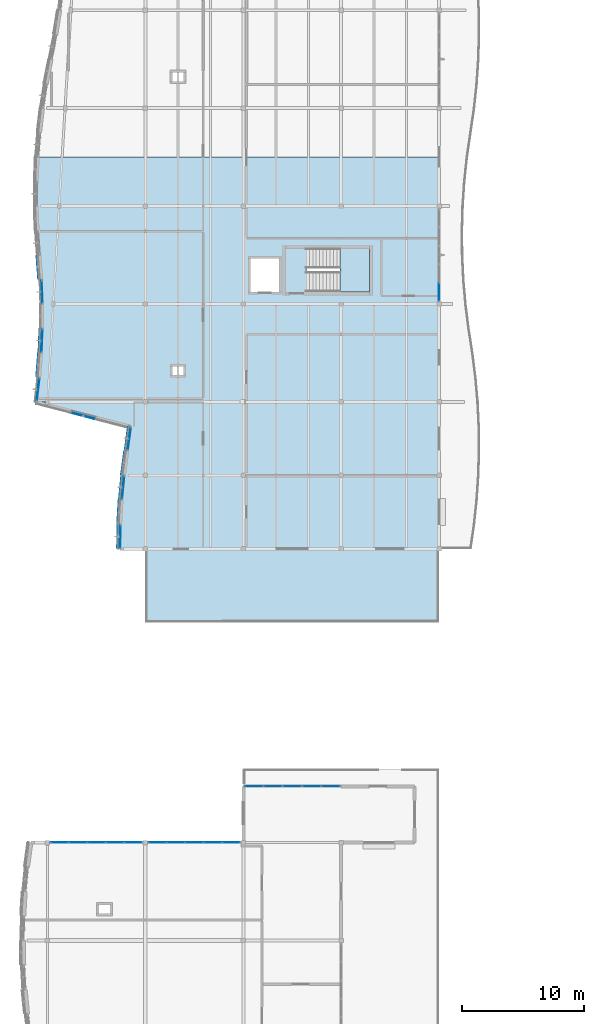
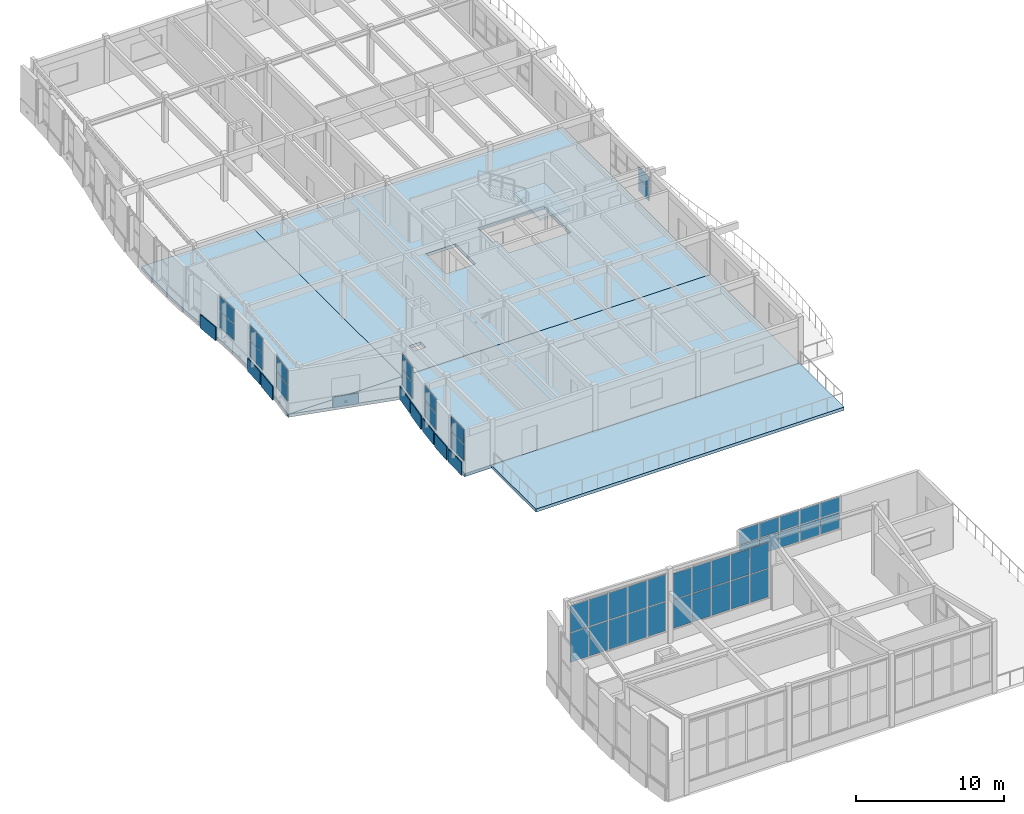
# One storey, part 29 of 63: 53 plates, 5 slabs, 11 elements without a shape of their own.
"""IFC4 building model written with IfcOpenShell, lengths in metres."""

from ifc_helpers import new_model, si_unit, direction, frame, origin, origin_2d, place, context, subcontext, project, spatial, polyline, rectangle, outline, extrude, material, layer, layer_set, type_object, element, aggregate, save


model = new_model("IFC4")

# Units and contexts
model_context = context("Model", 3, precision=1e-05, world=origin(), true_north=direction((0.0, 1.0)))
body_context = subcontext(model_context, "Body", "Model", "MODEL_VIEW")
ifc_project = project(units=[si_unit("LENGTHUNIT", "METRE"), si_unit("AREAUNIT", "SQUARE_METRE"), si_unit("VOLUMEUNIT", "CUBIC_METRE"), si_unit("PLANEANGLEUNIT", "RADIAN"), si_unit("MASSUNIT", "GRAM", prefix="KILO")], contexts=[model_context])

# Site, building, storey
site_placement = place(None, origin())
site = spatial("IfcSite", under=ifc_project, at=site_placement, CompositionType="ELEMENT")
building_placement = place(site_placement, origin())
building = spatial("IfcBuilding", under=site, at=building_placement, Name="Tonlespit Floodbar School", CompositionType="ELEMENT")
storey_placement = place(building_placement, frame((0.0, 0.0, 8.39990234375)))
storey = spatial("IfcBuildingStorey", under=building, at=storey_placement, Name="L02", CompositionType="ELEMENT", Elevation=8.39990234375)

# Curtain wall, plates
ifc_material_1 = material(Name="Anodised Aluminium", Category="aluminium")
ifc_layer_1 = layer(ifc_material_1, 0.159912109375)
ifc_layer_set_1 = layer_set([ifc_layer_1], Name="Anodised Aluminium")
curtain_wall_type_1 = type_object("IfcCurtainWallType", Name="CurtainWall_1950x2700", PredefinedType="NOTDEFINED", material=ifc_layer_set_1)
curtain_wall_1_placement = place(storey_placement, origin())
curtain_wall_1 = element("IfcCurtainWall", 1, at=curtain_wall_1_placement, inside=storey, type_object=curtain_wall_type_1, Name="L02 unitised curtain wall 0285", PredefinedType="NOTDEFINED")
ifc_material_2 = material(Name="Laminated Low-E Glass", Category="glass")
ifc_layer_2 = layer(ifc_material_2, 0.028076171875)
ifc_layer_set_2 = layer_set([ifc_layer_2], Name="Laminated Low-E Glass")
plate_type_1 = type_object("IfcPlateType", Name="CW_Panel_Glaz_28", PredefinedType="CURTAIN_PANEL", material=ifc_layer_set_2)
plate_1_placement = place(storey_placement, frame((10.181640625, 49.0, 1.01513671875), z_axis=(0.0, 0.0, 1.0), x_axis=(0.096198303585, 0.995362188546, 0.0)))
plate_1 = element("IfcPlate", 2, at=plate_1_placement, type_object=plate_type_1, Name="CW-04 panel 1.1", PredefinedType="CURTAIN_PANEL", context=body_context, shape_type="SweptSolid", body=[
    extrude(rectangle(XDim=1.79931640625, YDim=0.028076171875, at=origin_2d()), origin(), (0.0, 0.0, 1.0), 1.306396484375),
])
plate_2_placement = place(storey_placement, frame((10.181640625, 49.0, 2.38671875), z_axis=(0.0, 0.0, 1.0), x_axis=(0.096198303585, 0.995362188546, 0.0)))
plate_2 = element("IfcPlate", 3, at=plate_2_placement, type_object=plate_type_1, Name="CW-04 panel 1.2", PredefinedType="CURTAIN_PANEL", context=body_context, shape_type="SweptSolid", body=[
    extrude(rectangle(XDim=1.79931640625, YDim=0.028076171875, at=origin_2d()), origin(), (0.0, 0.0, 1.0), 1.198486328125),
])
aggregate(curtain_wall_1, [plate_1, plate_2])

ifc_layer_3 = layer(ifc_material_1, 0.159912109375)
ifc_layer_set_3 = layer_set([ifc_layer_3], Name="Anodised Aluminium")
curtain_wall_type_2 = type_object("IfcCurtainWallType", Name="CurtainWall_1900x2700", PredefinedType="NOTDEFINED", material=ifc_layer_set_3)
curtain_wall_2_placement = place(storey_placement, origin())
curtain_wall_2 = element("IfcCurtainWall", 4, at=curtain_wall_2_placement, inside=storey, type_object=curtain_wall_type_2, Name="L02 unitised curtain wall 0289", PredefinedType="NOTDEFINED")
plate_3_placement = place(storey_placement, frame((3.558349609375, 65.0, 1.01513671875), z_axis=(0.0, 0.0, 1.0), x_axis=(-0.036538085803, 0.999332261205, 0.0)))
plate_3 = element("IfcPlate", 5, at=plate_3_placement, type_object=plate_type_1, Name="CW-05 panel 1.1", PredefinedType="CURTAIN_PANEL", context=body_context, shape_type="SweptSolid", body=[
    extrude(rectangle(XDim=1.791259765625, YDim=0.028076171875, at=origin_2d()), origin(), (0.0, 0.0, 1.0), 1.306396484375),
])
plate_4_placement = place(storey_placement, frame((3.558349609375, 65.0, 2.38671875), z_axis=(0.0, 0.0, 1.0), x_axis=(-0.036538085803, 0.999332261205, 0.0)))
plate_4 = element("IfcPlate", 6, at=plate_4_placement, type_object=plate_type_1, Name="CW-05 panel 1.2", PredefinedType="CURTAIN_PANEL", context=body_context, shape_type="SweptSolid", body=[
    extrude(rectangle(XDim=1.791259765625, YDim=0.028076171875, at=origin_2d()), origin(), (0.0, 0.0, 1.0), 1.198486328125),
])
aggregate(curtain_wall_2, [plate_3, plate_4])

ifc_layer_4 = layer(ifc_material_1, 0.159912109375)
ifc_layer_set_4 = layer_set([ifc_layer_4], Name="Anodised Aluminium")
curtain_wall_type_3 = type_object("IfcCurtainWallType", Name="CurtainWall_7900x2700", PredefinedType="NOTDEFINED", material=ifc_layer_set_4)
curtain_wall_3_placement = place(storey_placement, origin())
curtain_wall_3 = element("IfcCurtainWall", 7, at=curtain_wall_3_placement, inside=storey, type_object=curtain_wall_type_3, Name="L02 unitised curtain wall 0537", PredefinedType="NOTDEFINED")
plate_5_placement = place(storey_placement, frame((20.84814453125, 24.60009765625, 1.01513671875), z_axis=(0.0, 0.0, 1.0), x_axis=(1.0, 0.0, 0.0)))
plate_5 = element("IfcPlate", 8, at=plate_5_placement, type_object=plate_type_1, Name="CW-35 panel 1.1", PredefinedType="CURTAIN_PANEL", context=body_context, shape_type="SweptSolid", body=[
    extrude(rectangle(XDim=1.486572265625, YDim=0.028076171875, at=origin_2d()), origin(), (0.0, 0.0, 1.0), 1.306396484375),
])
plate_6_placement = place(storey_placement, frame((20.84814453125, 24.60009765625, 2.38671875), z_axis=(0.0, 0.0, 1.0), x_axis=(1.0, 0.0, 0.0)))
plate_6 = element("IfcPlate", 9, at=plate_6_placement, type_object=plate_type_1, Name="CW-35 panel 1.2", PredefinedType="CURTAIN_PANEL", context=body_context, shape_type="SweptSolid", body=[
    extrude(rectangle(XDim=1.486572265625, YDim=0.028076171875, at=origin_2d()), origin(), (0.0, 0.0, 1.0), 1.198486328125),
])
plate_7_placement = place(storey_placement, frame((22.416015625, 24.60009765625, 1.01513671875), z_axis=(0.0, 0.0, 1.0), x_axis=(1.0, 0.0, 0.0)))
plate_7 = element("IfcPlate", 10, at=plate_7_placement, type_object=plate_type_1, Name="CW-35 panel 2.1", PredefinedType="CURTAIN_PANEL", context=body_context, shape_type="SweptSolid", body=[
    extrude(rectangle(XDim=1.51904296875, YDim=0.028076171875, at=origin_2d()), origin(), (0.0, 0.0, 1.0), 1.306396484375),
])
plate_8_placement = place(storey_placement, frame((22.416015625, 24.60009765625, 2.38671875), z_axis=(0.0, 0.0, 1.0), x_axis=(1.0, 0.0, 0.0)))
plate_8 = element("IfcPlate", 11, at=plate_8_placement, type_object=plate_type_1, Name="CW-35 panel 2.2", PredefinedType="CURTAIN_PANEL", context=body_context, shape_type="SweptSolid", body=[
    extrude(rectangle(XDim=1.51904296875, YDim=0.028076171875, at=origin_2d()), origin(), (0.0, 0.0, 1.0), 1.198486328125),
])
plate_9_placement = place(storey_placement, frame((24.0, 24.60009765625, 1.01513671875), z_axis=(0.0, 0.0, 1.0), x_axis=(1.0, 0.0, 0.0)))
plate_9 = element("IfcPlate", 12, at=plate_9_placement, type_object=plate_type_1, Name="CW-35 panel 3.1", PredefinedType="CURTAIN_PANEL", context=body_context, shape_type="SweptSolid", body=[
    extrude(rectangle(XDim=1.51904296875, YDim=0.028076171875, at=origin_2d()), origin(), (0.0, 0.0, 1.0), 1.306396484375),
])
plate_10_placement = place(storey_placement, frame((24.0, 24.60009765625, 2.38671875), z_axis=(0.0, 0.0, 1.0), x_axis=(1.0, 0.0, 0.0)))
plate_10 = element("IfcPlate", 13, at=plate_10_placement, type_object=plate_type_1, Name="CW-35 panel 3.2", PredefinedType="CURTAIN_PANEL", context=body_context, shape_type="SweptSolid", body=[
    extrude(rectangle(XDim=1.51904296875, YDim=0.028076171875, at=origin_2d()), origin(), (0.0, 0.0, 1.0), 1.198486328125),
])
plate_11_placement = place(storey_placement, frame((25.583984375, 24.60009765625, 1.01513671875), z_axis=(0.0, 0.0, 1.0), x_axis=(1.0, 0.0, 0.0)))
plate_11 = element("IfcPlate", 14, at=plate_11_placement, type_object=plate_type_1, Name="CW-35 panel 4.1", PredefinedType="CURTAIN_PANEL", context=body_context, shape_type="SweptSolid", body=[
    extrude(rectangle(XDim=1.51904296875, YDim=0.028076171875, at=origin_2d()), origin(), (0.0, 0.0, 1.0), 1.306396484375),
])
plate_12_placement = place(storey_placement, frame((25.583984375, 24.60009765625, 2.38671875), z_axis=(0.0, 0.0, 1.0), x_axis=(1.0, 0.0, 0.0)))
plate_12 = element("IfcPlate", 15, at=plate_12_placement, type_object=plate_type_1, Name="CW-35 panel 4.2", PredefinedType="CURTAIN_PANEL", context=body_context, shape_type="SweptSolid", body=[
    extrude(rectangle(XDim=1.51904296875, YDim=0.028076171875, at=origin_2d()), origin(), (0.0, 0.0, 1.0), 1.198486328125),
])
plate_13_placement = place(storey_placement, frame((27.15185546875, 24.60009765625, 1.01513671875), z_axis=(0.0, 0.0, 1.0), x_axis=(1.0, 0.0, 0.0)))
plate_13 = element("IfcPlate", 16, at=plate_13_placement, type_object=plate_type_1, Name="CW-35 panel 5.1", PredefinedType="CURTAIN_PANEL", context=body_context, shape_type="SweptSolid", body=[
    extrude(rectangle(XDim=1.486572265625, YDim=0.028076171875, at=origin_2d()), origin(), (0.0, 0.0, 1.0), 1.306396484375),
])
plate_14_placement = place(storey_placement, frame((27.15185546875, 24.60009765625, 2.38671875), z_axis=(0.0, 0.0, 1.0), x_axis=(1.0, 0.0, 0.0)))
plate_14 = element("IfcPlate", 17, at=plate_14_placement, type_object=plate_type_1, Name="CW-35 panel 5.2", PredefinedType="CURTAIN_PANEL", context=body_context, shape_type="SweptSolid", body=[
    extrude(rectangle(XDim=1.486572265625, YDim=0.028076171875, at=origin_2d()), origin(), (0.0, 0.0, 1.0), 1.198486328125),
])
aggregate(curtain_wall_3, [plate_5, plate_6, plate_7, plate_8, plate_9, plate_10, plate_11, plate_12, plate_13, plate_14])

curtain_wall_4_placement = place(storey_placement, origin())
curtain_wall_4 = element("IfcCurtainWall", 18, at=curtain_wall_4_placement, inside=storey, type_object=curtain_wall_type_1, Name="L02 unitised curtain wall 0286", PredefinedType="NOTDEFINED")
ifc_layer_5 = layer(ifc_material_2, 0.031982421875)
ifc_layer_set_5 = layer_set([ifc_layer_5], Name="Laminated Low-E Glass")
plate_type_2 = type_object("IfcPlateType", Name="CW_Panel_Glaz_32", PredefinedType="CURTAIN_PANEL", material=ifc_layer_set_5)
plate_15_placement = place(storey_placement, frame((10.685791015625, 53.0, 1.01513671875), z_axis=(0.0, 0.0, 1.0), x_axis=(0.134643564765, 0.990894096494, 0.0)))
plate_15 = element("IfcPlate", 19, at=plate_15_placement, type_object=plate_type_2, Name="CW-04 panel 1.1", PredefinedType="CURTAIN_PANEL", context=body_context, shape_type="SweptSolid", body=[
    extrude(rectangle(XDim=1.808349609375, YDim=0.031982421875, at=origin_2d()), origin(), (0.0, 0.0, 1.0), 1.306396484375),
])
plate_16_placement = place(storey_placement, frame((10.685791015625, 53.0, 2.38671875), z_axis=(0.0, 0.0, 1.0), x_axis=(0.134643564765, 0.990894096494, 0.0)))
plate_16 = element("IfcPlate", 20, at=plate_16_placement, type_object=plate_type_2, Name="CW-04 panel 1.2", PredefinedType="CURTAIN_PANEL", context=body_context, shape_type="SweptSolid", body=[
    extrude(rectangle(XDim=1.808349609375, YDim=0.031982421875, at=origin_2d()), origin(), (0.0, 0.0, 1.0), 1.198486328125),
])
aggregate(curtain_wall_4, [plate_15, plate_16])

ifc_layer_6 = layer(ifc_material_1, 0.159912109375)
ifc_layer_set_6 = layer_set([ifc_layer_6], Name="Anodised Aluminium")
curtain_wall_type_4 = type_object("IfcCurtainWallType", Name="CurtainWall_7550x2150", PredefinedType="NOTDEFINED", material=ifc_layer_set_6)
curtain_wall_5_placement = place(storey_placement, origin())
curtain_wall_5 = element("IfcCurtainWall", 21, at=curtain_wall_5_placement, inside=storey, type_object=curtain_wall_type_4, Name="L02 unitised curtain wall 0298", PredefinedType="NOTDEFINED")
plate_17_placement = place(storey_placement, frame((36.0, 64.9921875, 1.01513671875), z_axis=(0.0, 0.0, 1.0), x_axis=(0.0, -1.0, 0.0)))
plate_17 = element("IfcPlate", 22, at=plate_17_placement, type_object=plate_type_2, Name="CW-37 panel 5.1", PredefinedType="CURTAIN_PANEL", context=body_context, shape_type="SweptSolid", body=[
    extrude(rectangle(XDim=1.41455078125, YDim=0.031982421875, at=origin_2d()), origin(), (0.0, 0.0, 1.0), 1.015380859375),
])
plate_18_placement = place(storey_placement, frame((36.0, 64.9921875, 2.095458984375), z_axis=(0.0, 0.0, 1.0), x_axis=(0.0, -1.0, 0.0)))
plate_18 = element("IfcPlate", 23, at=plate_18_placement, type_object=plate_type_2, Name="CW-37 panel 5.2", PredefinedType="CURTAIN_PANEL", context=body_context, shape_type="SweptSolid", body=[
    extrude(rectangle(XDim=1.41455078125, YDim=0.031982421875, at=origin_2d()), origin(), (0.0, 0.0, 1.0), 0.9296875),
])
aggregate(curtain_wall_5, [plate_17, plate_18])

curtain_wall_6_placement = place(storey_placement, origin())
curtain_wall_6 = element("IfcCurtainWall", 24, at=curtain_wall_6_placement, inside=storey, type_object=curtain_wall_type_1, Name="L02 unitised curtain wall 0287", PredefinedType="NOTDEFINED")
ifc_layer_7 = layer(ifc_material_2, 0.035888671875)
ifc_layer_set_7 = layer_set([ifc_layer_7], Name="Laminated Low-E Glass")
plate_type_3 = type_object("IfcPlateType", Name="CW_Panel_Glaz_36", PredefinedType="CURTAIN_PANEL", material=ifc_layer_set_7)
plate_19_placement = place(storey_placement, frame((3.23291015625, 57.0, 1.01513671875), z_axis=(0.0, 0.0, 1.0), x_axis=(0.116967255837, 0.993135771716, 0.0)))
plate_19 = element("IfcPlate", 25, at=plate_19_placement, type_object=plate_type_3, Name="CW-04 panel 1.1", PredefinedType="CURTAIN_PANEL", context=body_context, shape_type="SweptSolid", body=[
    extrude(rectangle(XDim=1.803955078125, YDim=0.035888671875, at=origin_2d()), origin(), (0.0, 0.0, 1.0), 1.306396484375),
])
plate_20_placement = place(storey_placement, frame((3.23291015625, 57.0, 2.38671875), z_axis=(0.0, 0.0, 1.0), x_axis=(0.116967255837, 0.993135771716, 0.0)))
plate_20 = element("IfcPlate", 26, at=plate_20_placement, type_object=plate_type_3, Name="CW-04 panel 1.2", PredefinedType="CURTAIN_PANEL", context=body_context, shape_type="SweptSolid", body=[
    extrude(rectangle(XDim=1.803955078125, YDim=0.035888671875, at=origin_2d()), origin(), (0.0, 0.0, 1.0), 1.198486328125),
])
aggregate(curtain_wall_6, [plate_19, plate_20])

ifc_layer_8 = layer(ifc_material_1, 0.159912109375)
ifc_layer_set_8 = layer_set([ifc_layer_8], Name="Anodised Aluminium")
curtain_wall_type_5 = type_object("IfcCurtainWallType", Name="CurtainWall_7550x4800", PredefinedType="NOTDEFINED", material=ifc_layer_set_8)
curtain_wall_7_placement = place(storey_placement, origin())
curtain_wall_7 = element("IfcCurtainWall", 27, at=curtain_wall_7_placement, inside=storey, type_object=curtain_wall_type_5, Name="L02 unitised curtain wall 0535", PredefinedType="NOTDEFINED")
plate_21_placement = place(storey_placement, frame((4.9921875, 20.0, 1.01513671875), z_axis=(0.0, 0.0, 1.0), x_axis=(1.0, 0.0, 0.0)))
plate_21 = element("IfcPlate", 28, at=plate_21_placement, type_object=plate_type_3, Name="CW-91 panel 1.1", PredefinedType="CURTAIN_PANEL", context=body_context, shape_type="SweptSolid", body=[
    extrude(rectangle(XDim=1.41455078125, YDim=0.035888671875, at=origin_2d()), origin(), (0.0, 0.0, 1.0), 2.3955078125),
])
plate_22_placement = place(storey_placement, frame((4.9921875, 20.0, 3.4755859375), z_axis=(0.0, 0.0, 1.0), x_axis=(1.0, 0.0, 0.0)))
plate_22 = element("IfcPlate", 29, at=plate_22_placement, type_object=plate_type_3, Name="CW-91 panel 1.2", PredefinedType="CURTAIN_PANEL", context=body_context, shape_type="SweptSolid", body=[
    extrude(rectangle(XDim=1.41455078125, YDim=0.035888671875, at=origin_2d()), origin(), (0.0, 0.0, 1.0), 2.20361328125),
])
plate_23_placement = place(storey_placement, frame((6.488037109375, 20.0, 1.01513671875), z_axis=(0.0, 0.0, 1.0), x_axis=(1.0, 0.0, 0.0)))
plate_23 = element("IfcPlate", 30, at=plate_23_placement, type_object=plate_type_3, Name="CW-91 panel 2.1", PredefinedType="CURTAIN_PANEL", context=body_context, shape_type="SweptSolid", body=[
    extrude(rectangle(XDim=1.447021484375, YDim=0.035888671875, at=origin_2d()), origin(), (0.0, 0.0, 1.0), 2.3955078125),
])
plate_24_placement = place(storey_placement, frame((6.488037109375, 20.0, 3.4755859375), z_axis=(0.0, 0.0, 1.0), x_axis=(1.0, 0.0, 0.0)))
plate_24 = element("IfcPlate", 31, at=plate_24_placement, type_object=plate_type_3, Name="CW-91 panel 2.2", PredefinedType="CURTAIN_PANEL", context=body_context, shape_type="SweptSolid", body=[
    extrude(rectangle(XDim=1.447021484375, YDim=0.035888671875, at=origin_2d()), origin(), (0.0, 0.0, 1.0), 2.20361328125),
])
plate_25_placement = place(storey_placement, frame((8.0, 20.0, 1.01513671875), z_axis=(0.0, 0.0, 1.0), x_axis=(1.0, 0.0, 0.0)))
plate_25 = element("IfcPlate", 32, at=plate_25_placement, type_object=plate_type_3, Name="CW-91 panel 3.1", PredefinedType="CURTAIN_PANEL", context=body_context, shape_type="SweptSolid", body=[
    extrude(rectangle(XDim=1.447021484375, YDim=0.035888671875, at=origin_2d()), origin(), (0.0, 0.0, 1.0), 2.3955078125),
])
plate_26_placement = place(storey_placement, frame((8.0, 20.0, 3.4755859375), z_axis=(0.0, 0.0, 1.0), x_axis=(1.0, 0.0, 0.0)))
plate_26 = element("IfcPlate", 33, at=plate_26_placement, type_object=plate_type_3, Name="CW-91 panel 3.2", PredefinedType="CURTAIN_PANEL", context=body_context, shape_type="SweptSolid", body=[
    extrude(rectangle(XDim=1.447021484375, YDim=0.035888671875, at=origin_2d()), origin(), (0.0, 0.0, 1.0), 2.20361328125),
])
plate_27_placement = place(storey_placement, frame((9.511962890625, 20.0, 1.01513671875), z_axis=(0.0, 0.0, 1.0), x_axis=(1.0, 0.0, 0.0)))
plate_27 = element("IfcPlate", 34, at=plate_27_placement, type_object=plate_type_3, Name="CW-91 panel 4.1", PredefinedType="CURTAIN_PANEL", context=body_context, shape_type="SweptSolid", body=[
    extrude(rectangle(XDim=1.447021484375, YDim=0.035888671875, at=origin_2d()), origin(), (0.0, 0.0, 1.0), 2.3955078125),
])
plate_28_placement = place(storey_placement, frame((9.511962890625, 20.0, 3.4755859375), z_axis=(0.0, 0.0, 1.0), x_axis=(1.0, 0.0, 0.0)))
plate_28 = element("IfcPlate", 35, at=plate_28_placement, type_object=plate_type_3, Name="CW-91 panel 4.2", PredefinedType="CURTAIN_PANEL", context=body_context, shape_type="SweptSolid", body=[
    extrude(rectangle(XDim=1.447021484375, YDim=0.035888671875, at=origin_2d()), origin(), (0.0, 0.0, 1.0), 2.20361328125),
])
plate_29_placement = place(storey_placement, frame((11.0078125, 20.0, 1.01513671875), z_axis=(0.0, 0.0, 1.0), x_axis=(1.0, 0.0, 0.0)))
plate_29 = element("IfcPlate", 36, at=plate_29_placement, type_object=plate_type_3, Name="CW-91 panel 5.1", PredefinedType="CURTAIN_PANEL", context=body_context, shape_type="SweptSolid", body=[
    extrude(rectangle(XDim=1.41455078125, YDim=0.035888671875, at=origin_2d()), origin(), (0.0, 0.0, 1.0), 2.3955078125),
])
plate_30_placement = place(storey_placement, frame((11.0078125, 20.0, 3.4755859375), z_axis=(0.0, 0.0, 1.0), x_axis=(1.0, 0.0, 0.0)))
plate_30 = element("IfcPlate", 37, at=plate_30_placement, type_object=plate_type_3, Name="CW-91 panel 5.2", PredefinedType="CURTAIN_PANEL", context=body_context, shape_type="SweptSolid", body=[
    extrude(rectangle(XDim=1.41455078125, YDim=0.035888671875, at=origin_2d()), origin(), (0.0, 0.0, 1.0), 2.20361328125),
])
aggregate(curtain_wall_7, [plate_21, plate_22, plate_23, plate_24, plate_25, plate_26, plate_27, plate_28, plate_29, plate_30])

curtain_wall_8_placement = place(storey_placement, origin())
curtain_wall_8 = element("IfcCurtainWall", 38, at=curtain_wall_8_placement, inside=storey, type_object=curtain_wall_type_2, Name="L02 unitised curtain wall 0284", PredefinedType="NOTDEFINED")
ifc_layer_9 = layer(ifc_material_2, 0.0419921875)
ifc_layer_set_9 = layer_set([ifc_layer_9], Name="Laminated Low-E Glass")
plate_type_4 = type_object("IfcPlateType", Name="CW_Panel_Glaz_42", PredefinedType="CURTAIN_PANEL", material=ifc_layer_set_9)
plate_31_placement = place(storey_placement, frame((9.9501953125, 45.0, 1.01513671875), z_axis=(0.0, 0.0, 1.0), x_axis=(0.019215201653, 0.999815370969, 0.0)))
plate_31 = element("IfcPlate", 39, at=plate_31_placement, type_object=plate_type_4, Name="CW-05 panel 1.1", PredefinedType="CURTAIN_PANEL", context=body_context, shape_type="SweptSolid", body=[
    extrude(rectangle(XDim=1.790283203125, YDim=0.0419921875, at=origin_2d()), origin(), (0.0, 0.0, 1.0), 1.306396484375),
])
plate_32_placement = place(storey_placement, frame((9.9501953125, 45.0, 2.38671875), z_axis=(0.0, 0.0, 1.0), x_axis=(0.019215201653, 0.999815370969, 0.0)))
plate_32 = element("IfcPlate", 40, at=plate_32_placement, type_object=plate_type_4, Name="CW-05 panel 1.2", PredefinedType="CURTAIN_PANEL", context=body_context, shape_type="SweptSolid", body=[
    extrude(rectangle(XDim=1.790283203125, YDim=0.0419921875, at=origin_2d()), origin(), (0.0, 0.0, 1.0), 1.198486328125),
])
aggregate(curtain_wall_8, [plate_31, plate_32])

curtain_wall_9_placement = place(storey_placement, origin())
curtain_wall_9 = element("IfcCurtainWall", 41, at=curtain_wall_9_placement, inside=storey, type_object=curtain_wall_type_2, Name="L02 unitised curtain wall 0288", PredefinedType="NOTDEFINED")
plate_33_placement = place(storey_placement, frame((3.5498046875, 61.0, 1.01513671875), z_axis=(0.0, 0.0, 1.0), x_axis=(0.040747380387, 0.999169480615, 0.0)))
plate_33 = element("IfcPlate", 42, at=plate_33_placement, type_object=plate_type_4, Name="CW-05 panel 1.1", PredefinedType="CURTAIN_PANEL", context=body_context, shape_type="SweptSolid", body=[
    extrude(rectangle(XDim=1.79150390625, YDim=0.0419921875, at=origin_2d()), origin(), (0.0, 0.0, 1.0), 1.306396484375),
])
plate_34_placement = place(storey_placement, frame((3.5498046875, 61.0, 2.38671875), z_axis=(0.0, 0.0, 1.0), x_axis=(0.040747380387, 0.999169480615, 0.0)))
plate_34 = element("IfcPlate", 43, at=plate_34_placement, type_object=plate_type_4, Name="CW-05 panel 1.2", PredefinedType="CURTAIN_PANEL", context=body_context, shape_type="SweptSolid", body=[
    extrude(rectangle(XDim=1.79150390625, YDim=0.0419921875, at=origin_2d()), origin(), (0.0, 0.0, 1.0), 1.198486328125),
])
aggregate(curtain_wall_9, [plate_33, plate_34])

ifc_layer_10 = layer(ifc_material_1, 0.159912109375)
ifc_layer_set_10 = layer_set([ifc_layer_10], Name="Anodised Aluminium")
curtain_wall_type_6 = type_object("IfcCurtainWallType", Name="CurtainWall_7550x4650", PredefinedType="NOTDEFINED", material=ifc_layer_set_10)
curtain_wall_10_placement = place(storey_placement, origin())
curtain_wall_10 = element("IfcCurtainWall", 44, at=curtain_wall_10_placement, inside=storey, type_object=curtain_wall_type_6, Name="L02 unitised curtain wall 0536", PredefinedType="NOTDEFINED")
plate_35_placement = place(storey_placement, frame((12.9921875, 20.0, 1.01513671875), z_axis=(0.0, 0.0, 1.0), x_axis=(1.0, 0.0, 0.0)))
plate_35 = element("IfcPlate", 45, at=plate_35_placement, type_object=plate_type_4, Name="CW-92 panel 1.1", PredefinedType="CURTAIN_PANEL", context=body_context, shape_type="SweptSolid", body=[
    extrude(rectangle(XDim=1.41455078125, YDim=0.0419921875, at=origin_2d()), origin(), (0.0, 0.0, 1.0), 2.308349609375),
])
plate_36_placement = place(storey_placement, frame((12.9921875, 20.0, 3.388671875), z_axis=(0.0, 0.0, 1.0), x_axis=(1.0, 0.0, 0.0)))
plate_36 = element("IfcPlate", 46, at=plate_36_placement, type_object=plate_type_4, Name="CW-92 panel 1.2", PredefinedType="CURTAIN_PANEL", context=body_context, shape_type="SweptSolid", body=[
    extrude(rectangle(XDim=1.41455078125, YDim=0.0419921875, at=origin_2d()), origin(), (0.0, 0.0, 1.0), 2.123291015625),
])
plate_37_placement = place(storey_placement, frame((14.488037109375, 20.0, 1.01513671875), z_axis=(0.0, 0.0, 1.0), x_axis=(1.0, 0.0, 0.0)))
plate_37 = element("IfcPlate", 47, at=plate_37_placement, type_object=plate_type_4, Name="CW-92 panel 2.1", PredefinedType="CURTAIN_PANEL", context=body_context, shape_type="SweptSolid", body=[
    extrude(rectangle(XDim=1.447021484375, YDim=0.0419921875, at=origin_2d()), origin(), (0.0, 0.0, 1.0), 2.308349609375),
])
plate_38_placement = place(storey_placement, frame((14.488037109375, 20.0, 3.388671875), z_axis=(0.0, 0.0, 1.0), x_axis=(1.0, 0.0, 0.0)))
plate_38 = element("IfcPlate", 48, at=plate_38_placement, type_object=plate_type_4, Name="CW-92 panel 2.2", PredefinedType="CURTAIN_PANEL", context=body_context, shape_type="SweptSolid", body=[
    extrude(rectangle(XDim=1.447021484375, YDim=0.0419921875, at=origin_2d()), origin(), (0.0, 0.0, 1.0), 2.123291015625),
])
plate_39_placement = place(storey_placement, frame((16.0, 20.0, 1.01513671875), z_axis=(0.0, 0.0, 1.0), x_axis=(1.0, 0.0, 0.0)))
plate_39 = element("IfcPlate", 49, at=plate_39_placement, type_object=plate_type_4, Name="CW-92 panel 3.1", PredefinedType="CURTAIN_PANEL", context=body_context, shape_type="SweptSolid", body=[
    extrude(rectangle(XDim=1.447021484375, YDim=0.0419921875, at=origin_2d()), origin(), (0.0, 0.0, 1.0), 2.308349609375),
])
plate_40_placement = place(storey_placement, frame((16.0, 20.0, 3.388671875), z_axis=(0.0, 0.0, 1.0), x_axis=(1.0, 0.0, 0.0)))
plate_40 = element("IfcPlate", 50, at=plate_40_placement, type_object=plate_type_4, Name="CW-92 panel 3.2", PredefinedType="CURTAIN_PANEL", context=body_context, shape_type="SweptSolid", body=[
    extrude(rectangle(XDim=1.447021484375, YDim=0.0419921875, at=origin_2d()), origin(), (0.0, 0.0, 1.0), 2.123291015625),
])
plate_41_placement = place(storey_placement, frame((17.511962890625, 20.0, 1.01513671875), z_axis=(0.0, 0.0, 1.0), x_axis=(1.0, 0.0, 0.0)))
plate_41 = element("IfcPlate", 51, at=plate_41_placement, type_object=plate_type_4, Name="CW-92 panel 4.1", PredefinedType="CURTAIN_PANEL", context=body_context, shape_type="SweptSolid", body=[
    extrude(rectangle(XDim=1.447021484375, YDim=0.0419921875, at=origin_2d()), origin(), (0.0, 0.0, 1.0), 2.308349609375),
])
plate_42_placement = place(storey_placement, frame((17.511962890625, 20.0, 3.388671875), z_axis=(0.0, 0.0, 1.0), x_axis=(1.0, 0.0, 0.0)))
plate_42 = element("IfcPlate", 52, at=plate_42_placement, type_object=plate_type_4, Name="CW-92 panel 4.2", PredefinedType="CURTAIN_PANEL", context=body_context, shape_type="SweptSolid", body=[
    extrude(rectangle(XDim=1.447021484375, YDim=0.0419921875, at=origin_2d()), origin(), (0.0, 0.0, 1.0), 2.123291015625),
])
plate_43_placement = place(storey_placement, frame((19.0078125, 20.0, 1.01513671875), z_axis=(0.0, 0.0, 1.0), x_axis=(1.0, 0.0, 0.0)))
plate_43 = element("IfcPlate", 53, at=plate_43_placement, type_object=plate_type_4, Name="CW-92 panel 5.1", PredefinedType="CURTAIN_PANEL", context=body_context, shape_type="SweptSolid", body=[
    extrude(rectangle(XDim=1.41455078125, YDim=0.0419921875, at=origin_2d()), origin(), (0.0, 0.0, 1.0), 2.308349609375),
])
plate_44_placement = place(storey_placement, frame((19.0078125, 20.0, 3.388671875), z_axis=(0.0, 0.0, 1.0), x_axis=(1.0, 0.0, 0.0)))
plate_44 = element("IfcPlate", 54, at=plate_44_placement, type_object=plate_type_4, Name="CW-92 panel 5.2", PredefinedType="CURTAIN_PANEL", context=body_context, shape_type="SweptSolid", body=[
    extrude(rectangle(XDim=1.41455078125, YDim=0.0419921875, at=origin_2d()), origin(), (0.0, 0.0, 1.0), 2.123291015625),
])
aggregate(curtain_wall_10, [plate_35, plate_36, plate_37, plate_38, plate_39, plate_40, plate_41, plate_42, plate_43, plate_44])

# Plates
ifc_layer_11 = layer(ifc_material_1, 0.044921875)
ifc_layer_set_11 = layer_set([ifc_layer_11], Name="Anodised Aluminium")
plate_type_5 = type_object("IfcPlateType", Name="FacadeCassette_01", PredefinedType="SHEET", material=ifc_layer_set_11)
plate_45_placement = place(storey_placement, frame((6.9306640625, 54.854248046875, 0.094970703125), z_axis=(0.0, 0.0, 1.0), x_axis=(-0.967937542799, 0.251190989567, 0.0)))
element("IfcPlate", 55, at=plate_45_placement, inside=storey, type_object=plate_type_5, Name="L02 folded rainscreen cassette 009", PredefinedType="SHEET", context=body_context, shape_type="SweptSolid", body=[
    extrude(rectangle(XDim=1.800048828125, YDim=0.044921875, at=origin_2d()), origin(), (0.0, 0.0, 1.0), 0.85009765625),
])
ifc_material_3 = material(Name="White Architectural Aluminium", Category="aluminium")
ifc_layer_12 = layer(ifc_material_3, 0.06494140625)
ifc_layer_set_12 = layer_set([ifc_layer_12], Name="White Architectural Aluminium")
plate_type_6 = type_object("IfcPlateType", Name="FacadeRibbon_White_65", PredefinedType="SHEET", material=ifc_layer_set_12)
plate_46_placement = place(storey_placement, frame((9.768310546875, 45.00341796875, -0.1201171875), z_axis=(0.0, 0.0, 1.0), x_axis=(0.01924630259, 0.999814772764, 0.0)))
element("IfcPlate", 56, at=plate_46_placement, inside=storey, type_object=plate_type_6, Name="L02 flowing white street spandrel ribbon 0543", PredefinedType="SHEET", context=body_context, shape_type="SweptSolid", body=[
    extrude(rectangle(XDim=1.84033203125, YDim=0.06494140625, at=origin_2d()), origin(), (0.0, 0.0, 1.0), 1.070068359375),
])
plate_47_placement = place(storey_placement, frame((9.815673828125, 47.01220703125, -0.119873046875), z_axis=(0.0, 0.0, 1.0), x_axis=(0.057703421212, 0.998333769428, 0.0)))
element("IfcPlate", 57, at=plate_47_placement, inside=storey, type_object=plate_type_6, Name="L02 flowing white street spandrel ribbon 0544", PredefinedType="SHEET", context=body_context, shape_type="SweptSolid", body=[
    extrude(rectangle(XDim=1.84326171875, YDim=0.06494140625, at=origin_2d()), origin(), (0.0, 0.0, 1.0), 1.1201171875),
])
plate_48_placement = place(storey_placement, frame((10.00048828125, 49.017578125, -0.1201171875), z_axis=(0.0, 0.0, 1.0), x_axis=(0.096153248998, 0.995366541887, 0.0)))
element("IfcPlate", 58, at=plate_48_placement, inside=storey, type_object=plate_type_6, Name="L02 flowing white street spandrel ribbon 0545", PredefinedType="SHEET", context=body_context, shape_type="SweptSolid", body=[
    extrude(rectangle(XDim=1.849365234375, YDim=0.06494140625, at=origin_2d()), origin(), (0.0, 0.0, 1.0), 1.070068359375),
])
plate_49_placement = place(storey_placement, frame((10.2041015625, 51.028564453125, -0.119873046875), z_axis=(0.0, 0.0, 1.0), x_axis=(0.134662424626, 0.990891533617, 0.0)))
element("IfcPlate", 59, at=plate_49_placement, inside=storey, type_object=plate_type_6, Name="L02 flowing white street spandrel ribbon 0546", PredefinedType="SHEET", context=body_context, shape_type="SweptSolid", body=[
    extrude(rectangle(XDim=1.8583984375, YDim=0.06494140625, at=origin_2d()), origin(), (0.0, 0.0, 1.0), 1.1201171875),
])
plate_50_placement = place(storey_placement, frame((10.505615234375, 53.0244140625, -0.1201171875), z_axis=(0.0, 0.0, 1.0), x_axis=(0.134662424626, 0.990891533617, 0.0)))
element("IfcPlate", 60, at=plate_50_placement, inside=storey, type_object=plate_type_6, Name="L02 flowing white street spandrel ribbon 0547", PredefinedType="SHEET", context=body_context, shape_type="SweptSolid", body=[
    extrude(rectangle(XDim=1.8583984375, YDim=0.06494140625, at=origin_2d()), origin(), (0.0, 0.0, 1.0), 1.070068359375),
])
plate_51_placement = place(storey_placement, frame((3.218505859375, 59.0166015625, -0.119873046875), z_axis=(0.0, 0.0, 1.0), x_axis=(0.079001948152, 0.996874461599, 0.0)))
element("IfcPlate", 61, at=plate_51_placement, inside=storey, type_object=plate_type_6, Name="L02 flowing white street spandrel ribbon 0550", PredefinedType="SHEET", context=body_context, shape_type="SweptSolid", body=[
    extrude(rectangle(XDim=1.84619140625, YDim=0.06494140625, at=origin_2d()), origin(), (0.0, 0.0, 1.0), 1.1201171875),
])
plate_52_placement = place(storey_placement, frame((3.367919921875, 61.00732421875, -0.1201171875), z_axis=(0.0, 0.0, 1.0), x_axis=(0.040715999914, 0.999170759856, 0.0)))
element("IfcPlate", 62, at=plate_52_placement, inside=storey, type_object=plate_type_6, Name="L02 flowing white street spandrel ribbon 0551", PredefinedType="SHEET", context=body_context, shape_type="SweptSolid", body=[
    extrude(rectangle(XDim=1.841796875, YDim=0.06494140625, at=origin_2d()), origin(), (0.0, 0.0, 1.0), 1.070068359375),
])
plate_53_placement = place(storey_placement, frame((3.234619140625, 66.98388671875, -0.119873046875), z_axis=(0.0, 0.0, 1.0), x_axis=(-0.075681836348, 0.997132017161, 0.0)))
element("IfcPlate", 63, at=plate_53_placement, inside=storey, type_object=plate_type_6, Name="L02 flowing white street spandrel ribbon 0554", PredefinedType="SHEET", context=body_context, shape_type="SweptSolid", body=[
    extrude(rectangle(XDim=1.845703125, YDim=0.06494140625, at=origin_2d()), origin(), (0.0, 0.0, 1.0), 1.1201171875),
])

# Stair, slab
ifc_material_4 = material(Name="Concrete C40/50", Category="concrete")
stair_type = type_object("IfcStairType", Name="Stair_Core_Upper", PredefinedType="HALF_TURN_STAIR", material=ifc_material_4)
stair_placement = place(storey_placement, origin())
stair = element("IfcStair", 64, at=stair_placement, inside=storey, type_object=stair_type, Name="L02 Core C3 escape stair", PredefinedType="HALF_TURN_STAIR")
ifc_layer_13 = layer(ifc_material_4, 0.199951171875)
ifc_layer_set_13 = layer_set([ifc_layer_13], Name="Concrete C40/50")
slab_type_1 = type_object("IfcSlabType", Name="Landing_Core_RC200", PredefinedType="LANDING", material=ifc_layer_set_13)
slab_1_placement = place(storey_placement, frame((0.0, 0.0, 1.75)))
slab_1 = element("IfcSlab", 65, at=slab_1_placement, type_object=slab_type_1, Name="ST-C3 landing 1", PredefinedType="LANDING", context=body_context, shape_type="SweptSolid", body=[
    extrude(outline(polyline([(27.919921875, 65.0), (30.300048828125, 65.0), (30.300048828125, 68.5400390625), (27.919921875, 68.5400390625), (27.919921875, 65.0)])), origin(), (0.0, 0.0, 1.0), 0.2001953125),
])
aggregate(stair, [slab_1])

# Slabs
ifc_material_5 = material(Name="CLT C24", Category="wood")
ifc_layer_14 = layer(ifc_material_5, 0.248046875)
ifc_layer_set_14 = layer_set([ifc_layer_14], Name="CLT C24")
slab_type_2 = type_object("IfcSlabType", Name="Slab_Floor_CLT_200", PredefinedType="FLOOR", material=ifc_layer_set_14)
slab_2_placement = place(storey_placement, frame((0.0, 0.0, -0.247802734375)))
element("IfcSlab", 66, at=slab_2_placement, inside=storey, type_object=slab_type_2, Name="L02 V2 L02 south STEAM lab slab", PredefinedType="FLOOR", context=body_context, shape_type="SweptSolid", body=[
    extrude(outline(polyline([(3.114990234375, 56.0), (10.82177734375, 54.0), (10.550048828125, 52.0), (10.2783203125, 50.0), (10.0849609375, 48.0), (9.969482421875, 46.0), (9.930908203125, 44.0), (36.0, 44.0), (36.0, 56.0), (12.0, 56.0), (3.114990234375, 56.0)])), origin(), (0.0, 0.0, 1.0), 0.247802734375),
])
slab_3_placement = place(storey_placement, frame((0.0, 0.0, -0.247802734375)))
element("IfcSlab", 67, at=slab_3_placement, inside=storey, type_object=slab_type_2, Name="L02 V2 L02 mid STEAM lab slab", PredefinedType="FLOOR", context=body_context, shape_type="SweptSolid", body=[
    extrude(outline(polyline([(12.0, 56.0), (36.0, 56.0), (36.0, 76.0), (12.0, 76.0), (12.0, 56.0)]), holes=[polyline([(25.5, 65.0), (30.300048828125, 65.0), (30.300048828125, 68.5400390625), (25.14501953125, 68.5400390625), (25.14501953125, 66.6201171875), (25.5, 66.6201171875), (25.5, 65.0)]), polyline([(20.60009765625, 65.0), (22.89990234375, 65.0), (22.89990234375, 67.699951171875), (20.60009765625, 67.699951171875), (20.60009765625, 65.0)]), polyline([(14.199951171875, 58.199951171875), (15.10009765625, 58.199951171875), (15.10009765625, 58.89990234375), (14.199951171875, 58.89990234375), (14.199951171875, 58.199951171875)])]), origin(), (0.0, 0.0, 1.0), 0.247802734375),
])
slab_4_placement = place(storey_placement, frame((0.0, 0.0, -0.247802734375)))
element("IfcSlab", 68, at=slab_4_placement, inside=storey, type_object=slab_type_2, Name="L02 V2 L02 splayed studio slab 56", PredefinedType="FLOOR", context=body_context, shape_type="SweptSolid", body=[
    extrude(outline(polyline([(12.0, 56.0), (12.0, 76.0), (3.23095703125, 76.0), (3.1494140625, 74.0), (3.14501953125, 72.0), (3.21826171875, 70.0), (3.3701171875, 68.0), (3.521728515625, 66.0), (3.594970703125, 64.0), (3.590576171875, 62.0), (3.509033203125, 60.0), (3.3505859375, 58.0), (3.114990234375, 56.0), (12.0, 56.0)])), origin(), (0.0, 0.0, 1.0), 0.247802734375),
])
ifc_layer_15 = layer(ifc_material_5, 0.251953125)
ifc_layer_set_15 = layer_set([ifc_layer_15], Name="CLT C24")
slab_type_3 = type_object("IfcSlabType", Name="Slab_Terrace_CLT_210", PredefinedType="FLOOR", material=ifc_layer_set_15)
slab_5_placement = place(storey_placement, frame((0.0, 0.0, -0.251953125)))
element("IfcSlab", 69, at=slab_5_placement, inside=storey, type_object=slab_type_3, Name="L02 V2 L02 south terrace", PredefinedType="FLOOR", context=body_context, shape_type="SweptSolid", body=[
    extrude(outline(polyline([(12.0, 38.0), (36.0, 38.0), (36.0, 44.0), (12.0, 44.0), (12.0, 38.0)])), origin(), (0.0, 0.0, 1.0), 0.251953125),
])

save(model, "model.ifc")
